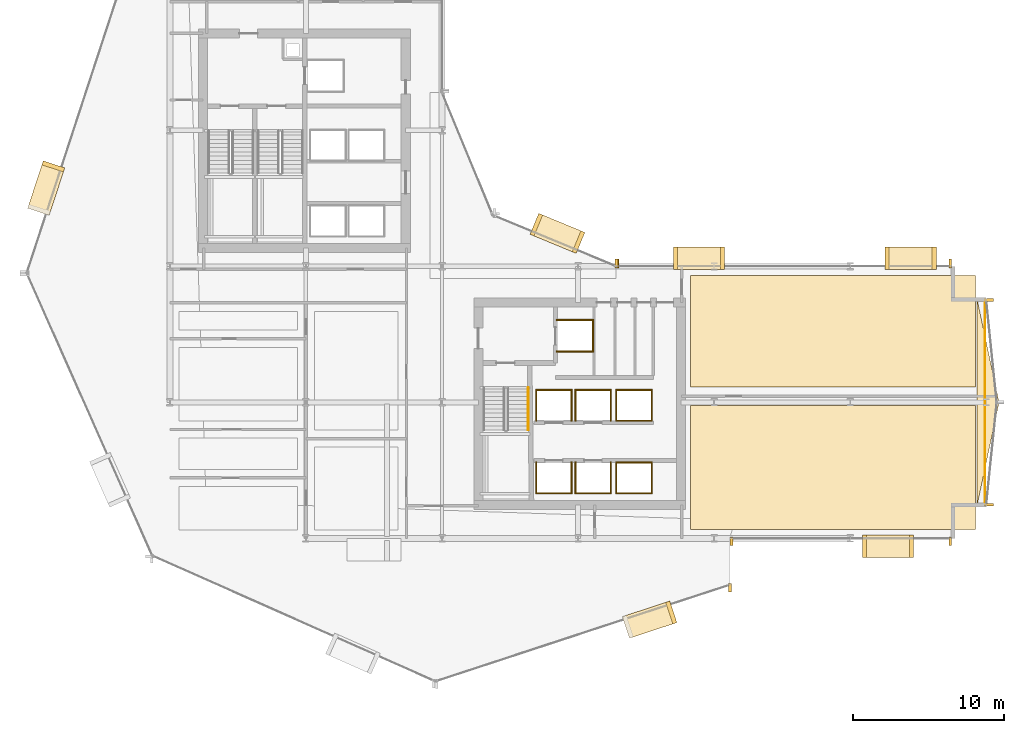
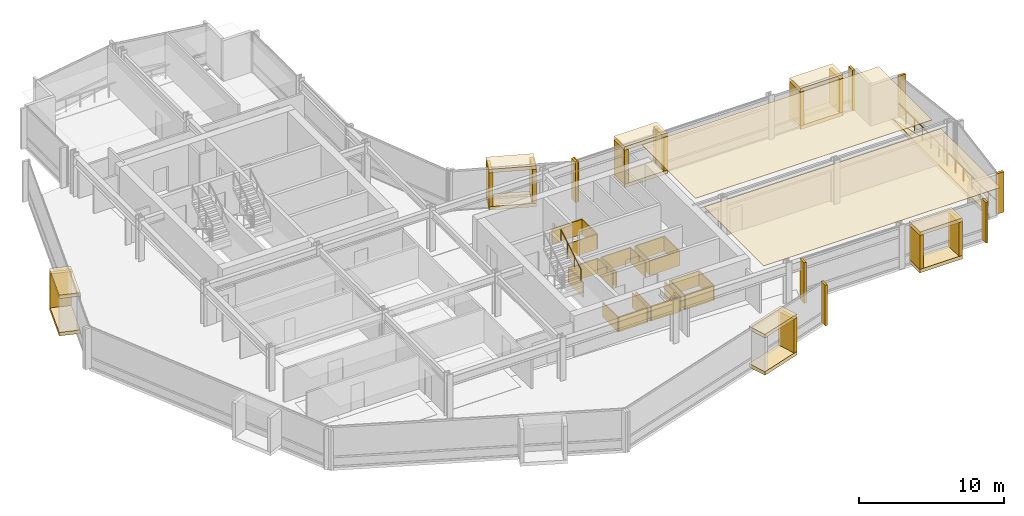
# One storey, part 32 of 34: 56 coverings, 2 railings.
"""IFC4 building model written with IfcOpenShell, lengths in metres."""

from ifc_helpers import new_model, si_unit, direction, frame, origin, origin_2d, place, context, subcontext, project, spatial, polyline, rectangle, circle, outline, extrude, material, layer, layer_set, type_object, element, save


model = new_model("IFC4")

# Units and contexts
model_context = context("Model", 3, precision=1e-05, world=origin(), true_north=direction((0.0, 1.0)))
body_context = subcontext(model_context, "Body", "Model", "MODEL_VIEW")
ifc_project = project(units=[si_unit("LENGTHUNIT", "METRE"), si_unit("AREAUNIT", "SQUARE_METRE"), si_unit("VOLUMEUNIT", "CUBIC_METRE"), si_unit("PLANEANGLEUNIT", "RADIAN"), si_unit("MASSUNIT", "GRAM", prefix="KILO")], contexts=[model_context])

# Site, building, storey
site_placement = place(None, origin())
site = spatial("IfcSite", under=ifc_project, at=site_placement, CompositionType="ELEMENT")
building_placement = place(site_placement, origin())
building = spatial("IfcBuilding", under=site, at=building_placement, Name="Solvaryn Broadcast Tower", CompositionType="ELEMENT")
storey_placement = place(building_placement, frame((0.0, 0.0, 58.199951171875)))
storey = spatial("IfcBuildingStorey", under=building, at=storey_placement, Name="L13", CompositionType="ELEMENT", Elevation=58.199951171875)

# Coverings
ifc_material_1 = material(Name="Micro-Perforated Acoustic Gypsum Ceiling", Category="concrete")
ifc_layer_1 = layer(ifc_material_1, 0.0400390625)
ifc_layer_set_1 = layer_set([ifc_layer_1], Name="CV-CEIL-ACOUSTIC")
covering_type_1 = type_object("IfcCoveringType", Name="CV-CEIL-ACOUSTIC", PredefinedType="CEILING", material=ifc_layer_set_1)
covering_1_placement = place(storey_placement, frame((0.0, 0.0, 3.380126953125)))
element("IfcCovering", 1, at=covering_1_placement, inside=storey, type_object=covering_type_1, Name="L13 Room Acoustic Ceiling 10", PredefinedType="CEILING", context=body_context, shape_type="SweptSolid", body=[
    extrude(outline(polyline([(43.449951171875, 9.60009765625), (62.300048828125, 9.60009765625), (62.300048828125, 17.800048828125), (43.449951171875, 17.800048828125), (43.449951171875, 9.60009765625)])), origin(), (0.0, 0.0, 1.0), 0.0400390625),
])
covering_2_placement = place(storey_placement, frame((0.0, 0.0, 3.380126953125)))
element("IfcCovering", 2, at=covering_2_placement, inside=storey, type_object=covering_type_1, Name="L13 Room Acoustic Ceiling 11", PredefinedType="CEILING", context=body_context, shape_type="SweptSolid", body=[
    extrude(outline(polyline([(43.449951171875, 19.0), (62.300048828125, 19.0), (62.300048828125, 26.39990234375), (43.449951171875, 26.39990234375), (43.449951171875, 19.0)])), origin(), (0.0, 0.0, 1.0), 0.0400390625),
])
ifc_material_2 = material(Name="Fire-Rated Gypsum Shaftwall Liner", Category="concrete")
ifc_layer_2 = layer(ifc_material_2, 0.080078125)
ifc_layer_set_2 = layer_set([ifc_layer_2], Name="CV-SHAFT-LINER")
covering_type_2 = type_object("IfcCoveringType", Name="CV-SHAFT-LINER", PredefinedType="CLADDING", material=ifc_layer_set_2)
for number, where, z_axis, x_axis, name in (
    (3, (35.800048828125, 23.43994140625, 0.0), (0.0, 0.0, 1.0), (1.0, 0.0, 0.0), "L13 FL2 Hoistway Shaft Liner North"),
    (4, (35.800048828125, 21.360107421875, 0.0), (0.0, 0.0, 1.0), (1.0, 0.0, 0.0), "L13 FL2 Hoistway Shaft Liner South"),
):
    element("IfcCovering", number, at=place(storey_placement, frame(where, z_axis=z_axis, x_axis=x_axis)), inside=storey, type_object=covering_type_2, Name=name, PredefinedType="CLADDING", context=body_context, shape_type="SweptSolid", body=[
        extrude(rectangle(XDim=2.4599609375, YDim=0.080078125, at=origin_2d()), origin(), (0.0, 0.0, 1.0), 1.25),
    ])
covering_3_placement = place(storey_placement, frame((36.989990234375, 22.39990234375, 0.0), z_axis=(0.0, 0.0, 1.0), x_axis=(1.0, 0.0, 0.0)))
element("IfcCovering", 5, at=covering_3_placement, inside=storey, type_object=covering_type_2, Name="L13 FL2 Hoistway Shaft Liner East", PredefinedType="CLADDING", context=body_context, shape_type="SweptSolid", body=[
    extrude(rectangle(XDim=0.080078125, YDim=2.159912109375, at=origin_2d()), origin(), (0.0, 0.0, 1.0), 1.25),
])
covering_4_placement = place(storey_placement, frame((34.39990234375, 11.985107421875, 0.0), z_axis=(0.0, 0.0, 1.0), x_axis=(1.0, 0.0, 0.0)))
element("IfcCovering", 6, at=covering_4_placement, inside=storey, type_object=covering_type_2, Name="L13 PL1 Hoistway Shaft Liner South", PredefinedType="CLADDING", context=body_context, shape_type="SweptSolid", body=[
    extrude(rectangle(XDim=2.409912109375, YDim=0.080078125, at=origin_2d()), origin(), (0.0, 0.0, 1.0), 1.25),
])
for number, where, z_axis, x_axis, name in (
    (7, (35.56494140625, 13.0, 0.0), (0.0, 0.0, 1.0), (1.0, 0.0, 0.0), "L13 PL1 Hoistway Shaft Liner East"),
    (8, (33.235107421875, 13.0, 0.0), (0.0, 0.0, 1.0), (1.0, 0.0, 0.0), "L13 PL1 Hoistway Shaft Liner West"),
):
    element("IfcCovering", number, at=place(storey_placement, frame(where, z_axis=z_axis, x_axis=x_axis)), inside=storey, type_object=covering_type_2, Name=name, PredefinedType="CLADDING", context=body_context, shape_type="SweptSolid", body=[
        extrude(rectangle(XDim=0.080078125, YDim=2.110107421875, at=origin_2d()), origin(), (0.0, 0.0, 1.0), 1.25),
    ])
covering_5_placement = place(storey_placement, frame((37.0, 11.985107421875, 0.0), z_axis=(0.0, 0.0, 1.0), x_axis=(1.0, 0.0, 0.0)))
element("IfcCovering", 9, at=covering_5_placement, inside=storey, type_object=covering_type_2, Name="L13 PL2 Hoistway Shaft Liner South", PredefinedType="CLADDING", context=body_context, shape_type="SweptSolid", body=[
    extrude(rectangle(XDim=2.409912109375, YDim=0.080078125, at=origin_2d()), origin(), (0.0, 0.0, 1.0), 1.25),
])
for number, where, z_axis, x_axis, name in (
    (10, (38.1650390625, 13.0, 0.0), (0.0, 0.0, 1.0), (1.0, 0.0, 0.0), "L13 PL2 Hoistway Shaft Liner East"),
    (11, (35.8349609375, 13.0, 0.0), (0.0, 0.0, 1.0), (1.0, 0.0, 0.0), "L13 PL2 Hoistway Shaft Liner West"),
):
    element("IfcCovering", number, at=place(storey_placement, frame(where, z_axis=z_axis, x_axis=x_axis)), inside=storey, type_object=covering_type_2, Name=name, PredefinedType="CLADDING", context=body_context, shape_type="SweptSolid", body=[
        extrude(rectangle(XDim=0.080078125, YDim=2.110107421875, at=origin_2d()), origin(), (0.0, 0.0, 1.0), 1.25),
    ])
covering_6_placement = place(storey_placement, frame((34.39990234375, 18.81494140625, 0.0), z_axis=(0.0, 0.0, 1.0), x_axis=(1.0, 0.0, 0.0)))
element("IfcCovering", 12, at=covering_6_placement, inside=storey, type_object=covering_type_2, Name="L13 PL3 Hoistway Shaft Liner North", PredefinedType="CLADDING", context=body_context, shape_type="SweptSolid", body=[
    extrude(rectangle(XDim=2.409912109375, YDim=0.080078125, at=origin_2d()), origin(), (0.0, 0.0, 1.0), 1.25),
])
for number, where, z_axis, x_axis, name in (
    (13, (35.56494140625, 17.800048828125, 0.0), (0.0, 0.0, 1.0), (1.0, 0.0, 0.0), "L13 PL3 Hoistway Shaft Liner East"),
    (14, (33.235107421875, 17.800048828125, 0.0), (0.0, 0.0, 1.0), (1.0, 0.0, 0.0), "L13 PL3 Hoistway Shaft Liner West"),
):
    element("IfcCovering", number, at=place(storey_placement, frame(where, z_axis=z_axis, x_axis=x_axis)), inside=storey, type_object=covering_type_2, Name=name, PredefinedType="CLADDING", context=body_context, shape_type="SweptSolid", body=[
        extrude(rectangle(XDim=0.080078125, YDim=2.110107421875, at=origin_2d()), origin(), (0.0, 0.0, 1.0), 1.25),
    ])
covering_7_placement = place(storey_placement, frame((37.0, 18.81494140625, 0.0), z_axis=(0.0, 0.0, 1.0), x_axis=(1.0, 0.0, 0.0)))
element("IfcCovering", 15, at=covering_7_placement, inside=storey, type_object=covering_type_2, Name="L13 PL4 Hoistway Shaft Liner North", PredefinedType="CLADDING", context=body_context, shape_type="SweptSolid", body=[
    extrude(rectangle(XDim=2.409912109375, YDim=0.080078125, at=origin_2d()), origin(), (0.0, 0.0, 1.0), 1.25),
])
for number, where, z_axis, x_axis, name in (
    (16, (38.1650390625, 17.800048828125, 0.0), (0.0, 0.0, 1.0), (1.0, 0.0, 0.0), "L13 PL4 Hoistway Shaft Liner East"),
    (17, (35.8349609375, 17.800048828125, 0.0), (0.0, 0.0, 1.0), (1.0, 0.0, 0.0), "L13 PL4 Hoistway Shaft Liner West"),
):
    element("IfcCovering", number, at=place(storey_placement, frame(where, z_axis=z_axis, x_axis=x_axis)), inside=storey, type_object=covering_type_2, Name=name, PredefinedType="CLADDING", context=body_context, shape_type="SweptSolid", body=[
        extrude(rectangle(XDim=0.080078125, YDim=2.110107421875, at=origin_2d()), origin(), (0.0, 0.0, 1.0), 1.25),
    ])
for number, where, z_axis, x_axis, name in (
    (18, (39.699951171875, 14.014892578125, 0.0), (0.0, 0.0, 1.0), (1.0, 0.0, 0.0), "L13 PM1 Hoistway Shaft Liner North"),
    (19, (39.699951171875, 11.985107421875, 0.0), (0.0, 0.0, 1.0), (1.0, 0.0, 0.0), "L13 PM1 Hoistway Shaft Liner South"),
):
    element("IfcCovering", number, at=place(storey_placement, frame(where, z_axis=z_axis, x_axis=x_axis)), inside=storey, type_object=covering_type_2, Name=name, PredefinedType="CLADDING", context=body_context, shape_type="SweptSolid", body=[
        extrude(rectangle(XDim=2.409912109375, YDim=0.080078125, at=origin_2d()), origin(), (0.0, 0.0, 1.0), 1.25),
    ])
for number, where, z_axis, x_axis, name in (
    (20, (40.864990234375, 13.0, 0.0), (0.0, 0.0, 1.0), (1.0, 0.0, 0.0), "L13 PM1 Hoistway Shaft Liner East"),
    (21, (38.534912109375, 13.0, 0.0), (0.0, 0.0, 1.0), (1.0, 0.0, 0.0), "L13 PM1 Hoistway Shaft Liner West"),
):
    element("IfcCovering", number, at=place(storey_placement, frame(where, z_axis=z_axis, x_axis=x_axis)), inside=storey, type_object=covering_type_2, Name=name, PredefinedType="CLADDING", context=body_context, shape_type="SweptSolid", body=[
        extrude(rectangle(XDim=0.080078125, YDim=2.110107421875, at=origin_2d()), origin(), (0.0, 0.0, 1.0), 1.25),
    ])
for number, where, z_axis, x_axis, name in (
    (22, (39.699951171875, 18.81494140625, 0.0), (0.0, 0.0, 1.0), (1.0, 0.0, 0.0), "L13 PM2 Hoistway Shaft Liner North"),
    (23, (39.699951171875, 16.784912109375, 0.0), (0.0, 0.0, 1.0), (1.0, 0.0, 0.0), "L13 PM2 Hoistway Shaft Liner South"),
):
    element("IfcCovering", number, at=place(storey_placement, frame(where, z_axis=z_axis, x_axis=x_axis)), inside=storey, type_object=covering_type_2, Name=name, PredefinedType="CLADDING", context=body_context, shape_type="SweptSolid", body=[
        extrude(rectangle(XDim=2.409912109375, YDim=0.080078125, at=origin_2d()), origin(), (0.0, 0.0, 1.0), 1.25),
    ])
for number, where, z_axis, x_axis, name in (
    (24, (40.864990234375, 17.800048828125, 0.0), (0.0, 0.0, 1.0), (1.0, 0.0, 0.0), "L13 PM2 Hoistway Shaft Liner East"),
    (25, (38.534912109375, 17.800048828125, 0.0), (0.0, 0.0, 1.0), (1.0, 0.0, 0.0), "L13 PM2 Hoistway Shaft Liner West"),
):
    element("IfcCovering", number, at=place(storey_placement, frame(where, z_axis=z_axis, x_axis=x_axis)), inside=storey, type_object=covering_type_2, Name=name, PredefinedType="CLADDING", context=body_context, shape_type="SweptSolid", body=[
        extrude(rectangle(XDim=0.080078125, YDim=2.110107421875, at=origin_2d()), origin(), (0.0, 0.0, 1.0), 1.25),
    ])
ifc_material_3 = material(Name="Glazed Architectural Terracotta Rainscreen Cladding", Category="masonry")
ifc_layer_3 = layer(ifc_material_3, 0.280029296875)
ifc_layer_set_3 = layer_set([ifc_layer_3], Name="CV-TC-CLAD")
covering_type_3 = type_object("IfcCoveringType", Name="CV-TC-CLAD", PredefinedType="CLADDING", material=ifc_layer_set_3)
for number, where, z_axis, x_axis, name in (
    (26, (0.819091796875, 32.173095703125, 3.1298828125), (0.0, 0.0, 1.0), (-0.311671636848, -0.950189870912, 0.0), "L13 Projecting Stone Window Box Hood 1"),
    (27, (0.819091796875, 32.173095703125, -0.009765625), (0.0, 0.0, 1.0), (-0.311671636848, -0.950189870912, 0.0), "L13 Projecting Stone Window Box Sill 1"),
):
    element("IfcCovering", number, at=place(storey_placement, frame(where, z_axis=z_axis, x_axis=x_axis)), inside=storey, type_object=covering_type_3, Name=name, PredefinedType="CLADDING", context=body_context, shape_type="SweptSolid", body=[
        extrude(rectangle(XDim=3.300048828125, YDim=1.5, at=origin_2d()), origin(), (0.0, 0.0, 1.0), 0.300048828125),
    ])
covering_8_placement = place(storey_placement, frame((1.28955078125, 33.60791015625, 0.27978515625), z_axis=(0.0, 0.0, 1.0), x_axis=(-0.311671636848, -0.950189870912, 0.0)))
element("IfcCovering", 28, at=covering_8_placement, inside=storey, type_object=covering_type_3, Name="L13 Projecting Stone Window Box Cheek 1-1", PredefinedType="CLADDING", context=body_context, shape_type="SweptSolid", body=[
    extrude(rectangle(XDim=0.280029296875, YDim=1.5, at=origin_2d()), origin(), (0.0, 0.0, 1.0), 2.860107421875),
])
for number, where, z_axis, x_axis, name in (
    (29, (40.73291015625, 3.6259765625, 3.1298828125), (0.0, 0.0, 1.0), (0.950189870912, 0.311671636848, 0.0), "L13 Projecting Stone Window Box Hood 4"),
    (30, (40.73291015625, 3.6259765625, -0.009765625), (0.0, 0.0, 1.0), (0.950189870912, 0.311671636848, 0.0), "L13 Projecting Stone Window Box Sill 4"),
):
    element("IfcCovering", number, at=place(storey_placement, frame(where, z_axis=z_axis, x_axis=x_axis)), inside=storey, type_object=covering_type_3, Name=name, PredefinedType="CLADDING", context=body_context, shape_type="SweptSolid", body=[
        extrude(rectangle(XDim=3.300048828125, YDim=1.5, at=origin_2d()), origin(), (0.0, 0.0, 1.0), 0.300048828125),
    ])
covering_9_placement = place(storey_placement, frame((42.167724609375, 4.0966796875, 0.27978515625), z_axis=(0.0, 0.0, 1.0), x_axis=(0.950189870912, 0.311671636848, 0.0)))
element("IfcCovering", 31, at=covering_9_placement, inside=storey, type_object=covering_type_3, Name="L13 Projecting Stone Window Box Cheek 4-2", PredefinedType="CLADDING", context=body_context, shape_type="SweptSolid", body=[
    extrude(rectangle(XDim=0.280029296875, YDim=1.5, at=origin_2d()), origin(), (0.0, 0.0, 1.0), 2.860107421875),
])
for number, where, z_axis, x_axis, name in (
    (32, (34.636962890625, 29.174072265625, 3.1298828125), (0.0, 0.0, 1.0), (-0.923879532511, 0.382683432365, 0.0), "L13 Projecting Stone Window Box Hood 5"),
    (33, (34.636962890625, 29.174072265625, -0.009765625), (0.0, 0.0, 1.0), (-0.923879532511, 0.382683432365, 0.0), "L13 Projecting Stone Window Box Sill 5"),
):
    element("IfcCovering", number, at=place(storey_placement, frame(where, z_axis=z_axis, x_axis=x_axis)), inside=storey, type_object=covering_type_3, Name=name, PredefinedType="CLADDING", context=body_context, shape_type="SweptSolid", body=[
        extrude(rectangle(XDim=3.300048828125, YDim=1.5, at=origin_2d()), origin(), (0.0, 0.0, 1.0), 0.300048828125),
    ])
for number, where, z_axis, x_axis, name in (
    (34, (36.031982421875, 28.59619140625, 0.27978515625), (0.0, 0.0, 1.0), (-0.923879532511, 0.382683432365, 0.0), "L13 Projecting Stone Window Box Cheek 5-1"),
    (35, (33.241943359375, 29.751953125, 0.27978515625), (0.0, 0.0, 1.0), (-0.923879532511, 0.382683432365, 0.0), "L13 Projecting Stone Window Box Cheek 5-2"),
):
    element("IfcCovering", number, at=place(storey_placement, frame(where, z_axis=z_axis, x_axis=x_axis)), inside=storey, type_object=covering_type_3, Name=name, PredefinedType="CLADDING", context=body_context, shape_type="SweptSolid", body=[
        extrude(rectangle(XDim=0.280029296875, YDim=1.5, at=origin_2d()), origin(), (0.0, 0.0, 1.0), 2.860107421875),
    ])
for number, where, z_axis, x_axis, name in (
    (36, (56.5, 8.469970703125, 3.1298828125), (0.0, 0.0, 1.0), (1.0, 0.0, 0.0), "L13 Projecting Stone Window Box Hood 6"),
    (37, (56.5, 8.469970703125, -0.009765625), (0.0, 0.0, 1.0), (1.0, 0.0, 0.0), "L13 Projecting Stone Window Box Sill 6"),
):
    element("IfcCovering", number, at=place(storey_placement, frame(where, z_axis=z_axis, x_axis=x_axis)), inside=storey, type_object=covering_type_3, Name=name, PredefinedType="CLADDING", context=body_context, shape_type="SweptSolid", body=[
        extrude(rectangle(XDim=3.39990234375, YDim=1.5, at=origin_2d()), origin(), (0.0, 0.0, 1.0), 0.300048828125),
    ])
for number, where, z_axis, x_axis, name in (
    (38, (54.93994140625, 8.469970703125, 0.27978515625), (0.0, 0.0, 1.0), (1.0, 0.0, 0.0), "L13 Projecting Stone Window Box Cheek 6-1"),
    (39, (58.06005859375, 8.469970703125, 0.27978515625), (0.0, 0.0, 1.0), (1.0, 0.0, 0.0), "L13 Projecting Stone Window Box Cheek 6-2"),
):
    element("IfcCovering", number, at=place(storey_placement, frame(where, z_axis=z_axis, x_axis=x_axis)), inside=storey, type_object=covering_type_3, Name=name, PredefinedType="CLADDING", context=body_context, shape_type="SweptSolid", body=[
        extrude(rectangle(XDim=0.280029296875, YDim=1.5, at=origin_2d()), origin(), (0.0, 0.0, 1.0), 2.860107421875),
    ])
for number, where, z_axis, x_axis, name in (
    (40, (44.0, 27.530029296875, 3.1298828125), (0.0, 0.0, 1.0), (1.0, 0.0, 0.0), "L13 Projecting Stone Window Box Hood 7"),
    (41, (44.0, 27.530029296875, -0.009765625), (0.0, 0.0, 1.0), (1.0, 0.0, 0.0), "L13 Projecting Stone Window Box Sill 7"),
):
    element("IfcCovering", number, at=place(storey_placement, frame(where, z_axis=z_axis, x_axis=x_axis)), inside=storey, type_object=covering_type_3, Name=name, PredefinedType="CLADDING", context=body_context, shape_type="SweptSolid", body=[
        extrude(rectangle(XDim=3.39990234375, YDim=1.5, at=origin_2d()), origin(), (0.0, 0.0, 1.0), 0.300048828125),
    ])
for number, where, z_axis, x_axis, name in (
    (42, (42.43994140625, 27.530029296875, 0.27978515625), (0.0, 0.0, 1.0), (1.0, 0.0, 0.0), "L13 Projecting Stone Window Box Cheek 7-1"),
    (43, (45.56005859375, 27.530029296875, 0.27978515625), (0.0, 0.0, 1.0), (1.0, 0.0, 0.0), "L13 Projecting Stone Window Box Cheek 7-2"),
):
    element("IfcCovering", number, at=place(storey_placement, frame(where, z_axis=z_axis, x_axis=x_axis)), inside=storey, type_object=covering_type_3, Name=name, PredefinedType="CLADDING", context=body_context, shape_type="SweptSolid", body=[
        extrude(rectangle(XDim=0.280029296875, YDim=1.5, at=origin_2d()), origin(), (0.0, 0.0, 1.0), 2.860107421875),
    ])
for number, where, z_axis, x_axis, name in (
    (44, (58.0, 27.530029296875, 3.1298828125), (0.0, 0.0, 1.0), (1.0, 0.0, 0.0), "L13 Projecting Stone Window Box Hood 8"),
    (45, (58.0, 27.530029296875, -0.009765625), (0.0, 0.0, 1.0), (1.0, 0.0, 0.0), "L13 Projecting Stone Window Box Sill 8"),
):
    element("IfcCovering", number, at=place(storey_placement, frame(where, z_axis=z_axis, x_axis=x_axis)), inside=storey, type_object=covering_type_3, Name=name, PredefinedType="CLADDING", context=body_context, shape_type="SweptSolid", body=[
        extrude(rectangle(XDim=3.39990234375, YDim=1.5, at=origin_2d()), origin(), (0.0, 0.0, 1.0), 0.300048828125),
    ])
for number, where, z_axis, x_axis, name in (
    (46, (56.43994140625, 27.530029296875, 0.27978515625), (0.0, 0.0, 1.0), (1.0, 0.0, 0.0), "L13 Projecting Stone Window Box Cheek 8-1"),
    (47, (59.56005859375, 27.530029296875, 0.27978515625), (0.0, 0.0, 1.0), (1.0, 0.0, 0.0), "L13 Projecting Stone Window Box Cheek 8-2"),
):
    element("IfcCovering", number, at=place(storey_placement, frame(where, z_axis=z_axis, x_axis=x_axis)), inside=storey, type_object=covering_type_3, Name=name, PredefinedType="CLADDING", context=body_context, shape_type="SweptSolid", body=[
        extrude(rectangle(XDim=0.280029296875, YDim=1.5, at=origin_2d()), origin(), (0.0, 0.0, 1.0), 2.860107421875),
    ])
ifc_material_4 = material(Name="Extruded Architectural Terracotta Fin", Category="masonry")
ifc_layer_4 = layer(ifc_material_4, 0.179931640625)
ifc_layer_set_4 = layer_set([ifc_layer_4], Name="CV-TC-FIN")
covering_type_4 = type_object("IfcCoveringType", Name="CV-TC-FIN", PredefinedType="USERDEFINED", material=ifc_layer_set_4)
for number, where, z_axis, x_axis, name in (
    (48, (46.043701171875, 5.735595703125, 0.0), (0.0, 0.0, 1.0), (1.0, 0.0, 0.0), "L13 Terracotta Vertical Fin FIN-L13-DR4-M01"),
    (49, (38.541259765625, 27.177978515625, 0.0), (0.0, 0.0, 1.0), (1.0, 0.0, 0.0), "L13 Terracotta Vertical Fin FIN-L13-CN1-M00"),
    (50, (46.14599609375, 8.8125, 0.0), (0.0, 0.0, 1.0), (1.0, 0.0, 0.0), "L13 Terracotta Vertical Fin FIN-L13-S2-M00"),
    (51, (60.6201171875, 8.8125, 0.0), (0.0, 0.0, 1.0), (1.0, 0.0, 0.0), "L13 Terracotta Vertical Fin FIN-L13-S2-M01"),
):
    element("IfcCovering", number, at=place(storey_placement, frame(where, z_axis=z_axis, x_axis=x_axis)), inside=storey, type_object=covering_type_4, Name=name, ObjectType="FIN", PredefinedType="USERDEFINED", context=body_context, shape_type="SweptSolid", body=[
        extrude(rectangle(XDim=0.179931640625, YDim=0.580078125, at=origin_2d()), origin(), (0.0, 0.0, 1.0), 3.419921875),
    ])
for number, where, z_axis, x_axis, name in (
    (52, (63.190673828125, 24.770263671875, 0.0), (0.0, 0.0, 1.0), (1.0, 0.0, 0.0), "L13 Terracotta Vertical Fin FIN-L13-ET1-M00"),
    (53, (63.190673828125, 11.229736328125, 0.0), (0.0, 0.0, 1.0), (1.0, 0.0, 0.0), "L13 Terracotta Vertical Fin FIN-L13-ET2-M01"),
):
    element("IfcCovering", number, at=place(storey_placement, frame(where, z_axis=z_axis, x_axis=x_axis)), inside=storey, type_object=covering_type_4, Name=name, ObjectType="FIN", PredefinedType="USERDEFINED", context=body_context, shape_type="SweptSolid", body=[
        extrude(rectangle(XDim=0.580078125, YDim=0.179931640625, at=origin_2d()), origin(), (0.0, 0.0, 1.0), 3.419921875),
    ])
for number, where, z_axis, x_axis, name in (
    (54, (38.6298828125, 27.1875, 0.0), (0.0, 0.0, 1.0), (1.0, 0.0, 0.0), "L13 Terracotta Vertical Fin FIN-L13-IH-M00"),
    (55, (60.6201171875, 27.1875, 0.0), (0.0, 0.0, 1.0), (1.0, 0.0, 0.0), "L13 Terracotta Vertical Fin FIN-L13-IH-M01"),
):
    element("IfcCovering", number, at=place(storey_placement, frame(where, z_axis=z_axis, x_axis=x_axis)), inside=storey, type_object=covering_type_4, Name=name, ObjectType="FIN", PredefinedType="USERDEFINED", context=body_context, shape_type="SweptSolid", body=[
        extrude(rectangle(XDim=0.179931640625, YDim=0.580078125, at=origin_2d()), origin(), (0.0, 0.0, 1.0), 3.419921875),
    ])
ifc_material_5 = material(Name="Sculpted Architectural Terracotta Wave Fascia", Category="masonry")
ifc_layer_5 = layer(ifc_material_5, 0.340087890625)
ifc_layer_set_5 = layer_set([ifc_layer_5], Name="CV-WAVE-TRAY")
covering_type_5 = type_object("IfcCoveringType", Name="CV-WAVE-TRAY", PredefinedType="CLADDING", material=ifc_layer_set_5)
covering_10_placement = place(storey_placement, frame((0.0, 0.0, -0.300048828125)))
element("IfcCovering", 56, at=covering_10_placement, inside=storey, type_object=covering_type_5, Name="L13 East Curved Wing Deck", PredefinedType="CLADDING", context=body_context, shape_type="SweptSolid", body=[
    extrude(outline(polyline([(62.39990234375, 11.199951171875), (63.85009765625, 18.0), (62.39990234375, 24.800048828125), (62.39990234375, 11.199951171875)])), origin(), (0.0, 0.0, 1.0), 0.330078125),
])

# Railings
ifc_material_6 = material(Name="Brushed Stainless Steel Tubular Handrail", Category="steel")
railing_type_1 = type_object("IfcRailingType", Name="RL-STAIR-HANDRAIL", PredefinedType="HANDRAIL", material=ifc_material_6)
railing_1_placement = place(storey_placement, frame((32.699951171875, 16.159912109375, 2.018310546875)))
element("IfcRailing", 57, at=railing_1_placement, inside=storey, type_object=railing_type_1, Name="L13 ST3 stair handrail 2", PredefinedType="HANDRAIL", context=body_context, shape_type="SweptSolid", body=[
    extrude(circle(Radius=0.02392578125, at=origin_2d()), frame((0.0, 0.0, 0.8759765625), z_axis=(0.0, 0.857275202839, 0.514858452973), x_axis=(-1.0, 0.0, 0.0)), (0.0, 0.0, 1.0), 3.26611328125),
    extrude(circle(Radius=0.02099609375, at=origin_2d()), origin(), (0.0, 0.0, 1.0), 0.851806640625),
    extrude(circle(Radius=0.02099609375, at=origin_2d()), frame((0.0, 0.933349609375, 0.560546875)), (0.0, 0.0, 1.0), 0.851806640625),
    extrude(circle(Radius=0.02099609375, at=origin_2d()), frame((0.0, 1.86669921875, 1.12109375)), (0.0, 0.0, 1.0), 0.851806640625),
    extrude(circle(Radius=0.02099609375, at=origin_2d()), frame((0.0, 2.800048828125, 1.681640625)), (0.0, 0.0, 1.0), 0.851806640625),
])
ifc_material_7 = material(Name="Stainless Steel and Laminated Glass Guard", Category="steel")
railing_type_2 = type_object("IfcRailingType", Name="RL-TER-1150", PredefinedType="BALUSTRADE", material=ifc_material_7)
railing_2_placement = place(storey_placement, frame((62.919921875, 11.199951171875, 0.0)))
element("IfcRailing", 58, at=railing_2_placement, inside=storey, type_object=railing_type_2, Name="L13 East Wing Spandrel Edge Guard", PredefinedType="BALUSTRADE", context=body_context, shape_type="SweptSolid", body=[
    extrude(circle(Radius=0.02392578125, at=origin_2d()), frame((0.0, 0.0, 1.1259765625), z_axis=(0.0, 1.0, 0.0), x_axis=(-1.0, 0.0, 0.0)), (0.0, 0.0, 1.0), 13.60009765625),
    extrude(circle(Radius=0.02099609375, at=origin_2d()), origin(), (0.0, 0.0, 1.0), 1.101806640625),
    extrude(circle(Radius=0.02099609375, at=origin_2d()), frame((0.0, 1.13330078125, 0.0)), (0.0, 0.0, 1.0), 1.101806640625),
    extrude(circle(Radius=0.02099609375, at=origin_2d()), frame((0.0, 2.2666015625, 0.0)), (0.0, 0.0, 1.0), 1.101806640625),
    extrude(circle(Radius=0.02099609375, at=origin_2d()), frame((0.0, 3.39990234375, 0.0)), (0.0, 0.0, 1.0), 1.101806640625),
    extrude(circle(Radius=0.02099609375, at=origin_2d()), frame((0.0, 4.533447265625, 0.0)), (0.0, 0.0, 1.0), 1.101806640625),
    extrude(circle(Radius=0.02099609375, at=origin_2d()), frame((0.0, 5.666748046875, 0.0)), (0.0, 0.0, 1.0), 1.101806640625),
    extrude(circle(Radius=0.02099609375, at=origin_2d()), frame((0.0, 6.800048828125, 0.0)), (0.0, 0.0, 1.0), 1.101806640625),
    extrude(circle(Radius=0.02099609375, at=origin_2d()), frame((0.0, 7.933349609375, 0.0)), (0.0, 0.0, 1.0), 1.101806640625),
    extrude(circle(Radius=0.02099609375, at=origin_2d()), frame((0.0, 9.066650390625, 0.0)), (0.0, 0.0, 1.0), 1.101806640625),
    extrude(circle(Radius=0.02099609375, at=origin_2d()), frame((0.0, 10.2001953125, 0.0)), (0.0, 0.0, 1.0), 1.101806640625),
    extrude(circle(Radius=0.02099609375, at=origin_2d()), frame((0.0, 11.33349609375, 0.0)), (0.0, 0.0, 1.0), 1.101806640625),
    extrude(circle(Radius=0.02099609375, at=origin_2d()), frame((0.0, 12.466796875, 0.0)), (0.0, 0.0, 1.0), 1.101806640625),
    extrude(circle(Radius=0.02099609375, at=origin_2d()), frame((0.0, 13.60009765625, 0.0)), (0.0, 0.0, 1.0), 1.101806640625),
])

save(model, "model.ifc")
